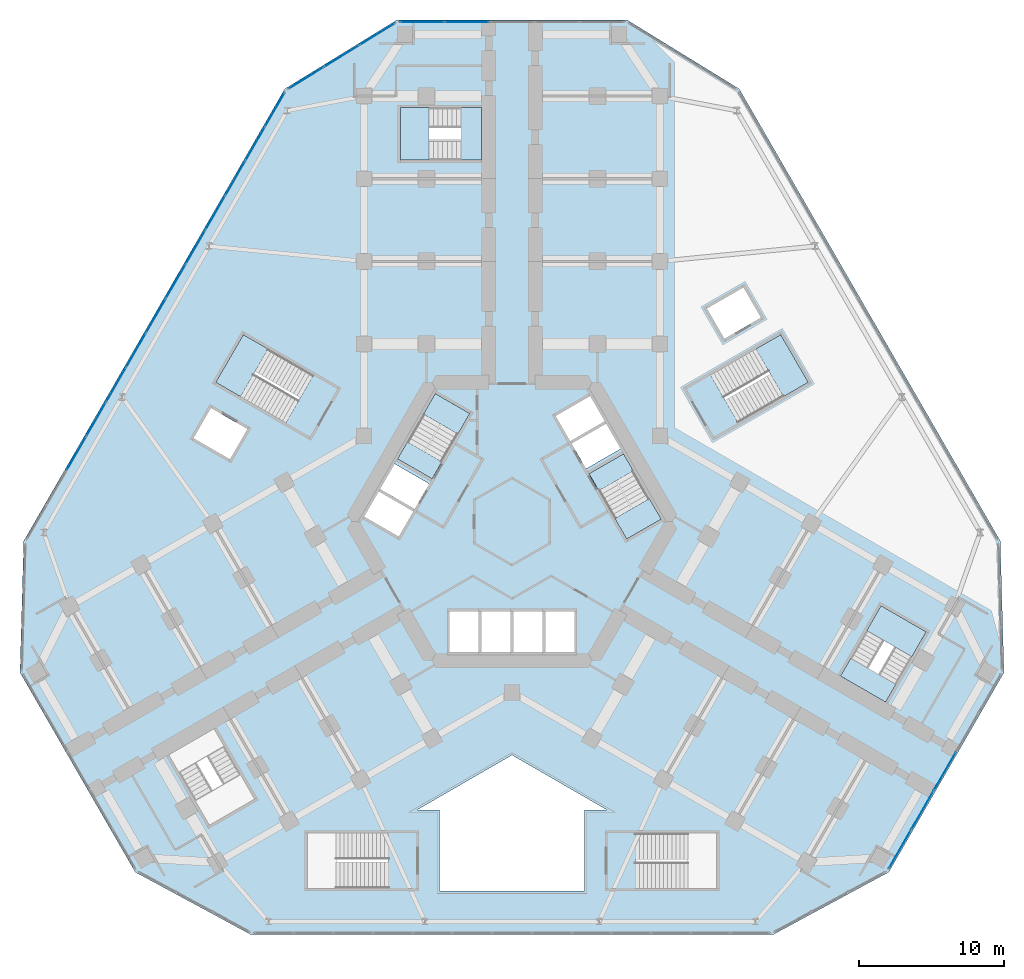
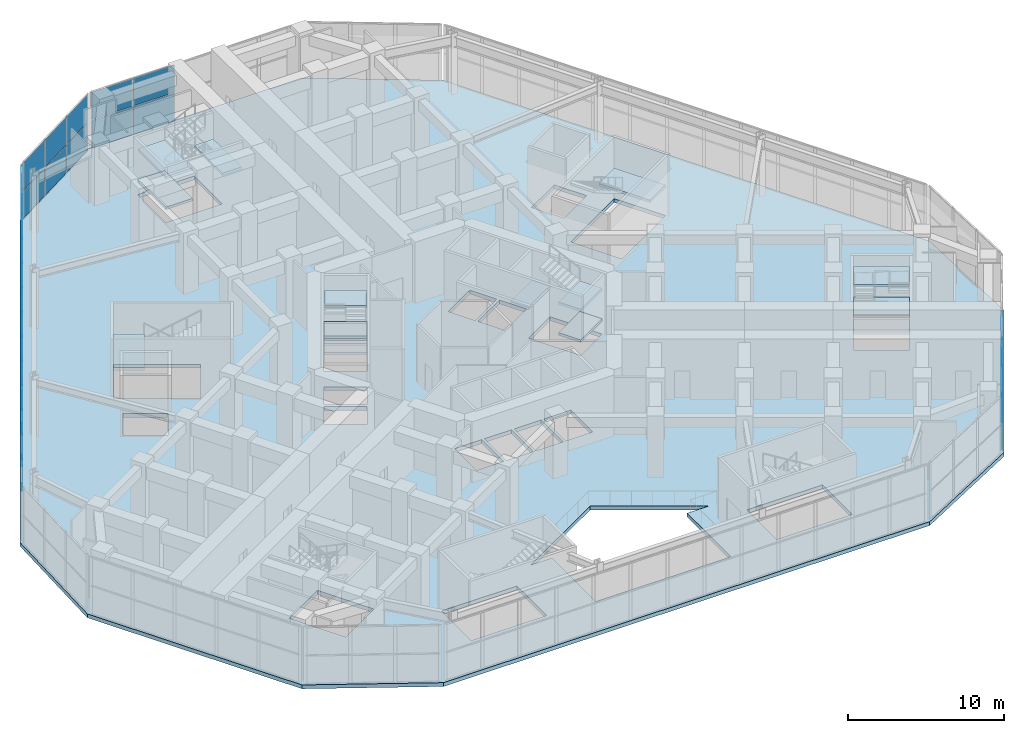
# One storey, part 13 of 22: 38 plates, 15 slabs, 10 elements without a shape of their own.
"""IFC4 building model written with IfcOpenShell, lengths in metres."""

from ifc_helpers import new_model, si_unit, direction, frame, origin, origin_2d, place, context, subcontext, project, spatial, polyline, rectangle, outline, extrude, material, layer, layer_set, type_object, element, aggregate, save


model = new_model("IFC4")

# Units and contexts
model_context = context("Model", 3, precision=1e-05, world=origin(), true_north=direction((0.0, 1.0)))
body_context = subcontext(model_context, "Body", "Model", "MODEL_VIEW")
ifc_project = project(units=[si_unit("LENGTHUNIT", "METRE"), si_unit("AREAUNIT", "SQUARE_METRE"), si_unit("VOLUMEUNIT", "CUBIC_METRE"), si_unit("PLANEANGLEUNIT", "RADIAN"), si_unit("MASSUNIT", "GRAM", prefix="KILO")], contexts=[model_context])

# Site, building, storey
site_placement = place(None, origin())
site = spatial("IfcSite", under=ifc_project, at=site_placement, CompositionType="ELEMENT")
building_placement = place(site_placement, origin())
building = spatial("IfcBuilding", under=site, at=building_placement, Name="Kosmar Iwan School Tower", CompositionType="ELEMENT")
storey_placement = place(building_placement, frame((0.0, 0.0, 10.800048828125)))
storey = spatial("IfcBuildingStorey", under=building, at=storey_placement, Name="L02", CompositionType="ELEMENT", Elevation=10.800048828125)

# Curtain wall, plates
ifc_material_1 = material(Name="Dark glass in black aluminium frame", Category="aluminium")
curtain_wall_type_1 = type_object("IfcCurtainWallType", Name="Tower curtain wall dark glass", PredefinedType="USERDEFINED", material=ifc_material_1)
curtain_wall_1_placement = place(storey_placement, origin())
curtain_wall_1 = element("IfcCurtainWall", 1, at=curtain_wall_1_placement, inside=storey, type_object=curtain_wall_type_1, Name="Curtain wall L02-F02", ObjectType="UNITISED CURTAIN WALL", PredefinedType="USERDEFINED")
ifc_material_2 = material(Name="Dark glass", Category="glass")
ifc_layer_1 = layer(ifc_material_2, 0.028076171875)
ifc_layer_set_1 = layer_set([ifc_layer_1], Name="Dark glass panel 28")
plate_type = type_object("IfcPlateType", Name="Dark glass panel 28", PredefinedType="CURTAIN_PANEL", material=ifc_layer_set_1)
plate_1_placement = place(storey_placement, frame((26.758544921875, -22.602783203125, 0.06005859375), z_axis=(0.0, 0.0, 1.0), x_axis=(0.500000014057, 0.866025395669, 0.0)))
plate_1 = element("IfcPlate", 2, at=plate_1_placement, type_object=plate_type, Name="CW1 panel 1.1", PredefinedType="CURTAIN_PANEL", context=body_context, shape_type="SweptSolid", body=[
    extrude(rectangle(XDim=3.00830078125, YDim=0.028076171875, at=origin_2d()), origin(), (0.0, 0.0, 1.0), 2.159912109375),
])
plate_2_placement = place(storey_placement, frame((26.758544921875, -22.602783203125, 2.27978515625), z_axis=(0.0, 0.0, 1.0), x_axis=(0.500000014057, 0.866025395669, 0.0)))
plate_2 = element("IfcPlate", 3, at=plate_2_placement, type_object=plate_type, Name="CW1 panel 1.2", PredefinedType="CURTAIN_PANEL", context=body_context, shape_type="SweptSolid", body=[
    extrude(rectangle(XDim=3.00830078125, YDim=0.028076171875, at=origin_2d()), origin(), (0.0, 0.0, 1.0), 2.159912109375),
])
plate_3_placement = place(storey_placement, frame((28.30322265625, -19.92724609375, 0.06005859375), z_axis=(0.0, 0.0, 1.0), x_axis=(0.500000014057, 0.866025395669, 0.0)))
plate_3 = element("IfcPlate", 4, at=plate_3_placement, type_object=plate_type, Name="CW1 panel 2.1", PredefinedType="CURTAIN_PANEL", context=body_context, shape_type="SweptSolid", body=[
    extrude(rectangle(XDim=3.040771484375, YDim=0.028076171875, at=origin_2d()), origin(), (0.0, 0.0, 1.0), 2.159912109375),
])
plate_4_placement = place(storey_placement, frame((28.30322265625, -19.92724609375, 2.27978515625), z_axis=(0.0, 0.0, 1.0), x_axis=(0.500000014057, 0.866025395669, 0.0)))
plate_4 = element("IfcPlate", 5, at=plate_4_placement, type_object=plate_type, Name="CW1 panel 2.2", PredefinedType="CURTAIN_PANEL", context=body_context, shape_type="SweptSolid", body=[
    extrude(rectangle(XDim=3.040771484375, YDim=0.028076171875, at=origin_2d()), origin(), (0.0, 0.0, 1.0), 2.159912109375),
])
plate_5_placement = place(storey_placement, frame((29.856201171875, -17.237548828125, 0.06005859375), z_axis=(0.0, 0.0, 1.0), x_axis=(0.500000014057, 0.866025395669, 0.0)))
plate_5 = element("IfcPlate", 6, at=plate_5_placement, type_object=plate_type, Name="CW1 panel 3.1", PredefinedType="CURTAIN_PANEL", context=body_context, shape_type="SweptSolid", body=[
    extrude(rectangle(XDim=3.040771484375, YDim=0.028076171875, at=origin_2d()), origin(), (0.0, 0.0, 1.0), 2.159912109375),
])
plate_6_placement = place(storey_placement, frame((29.856201171875, -17.237548828125, 2.27978515625), z_axis=(0.0, 0.0, 1.0), x_axis=(0.500000014057, 0.866025395669, 0.0)))
plate_6 = element("IfcPlate", 7, at=plate_6_placement, type_object=plate_type, Name="CW1 panel 3.2", PredefinedType="CURTAIN_PANEL", context=body_context, shape_type="SweptSolid", body=[
    extrude(rectangle(XDim=3.040771484375, YDim=0.028076171875, at=origin_2d()), origin(), (0.0, 0.0, 1.0), 2.159912109375),
])
aggregate(curtain_wall_1, [plate_1, plate_2, plate_3, plate_4, plate_5, plate_6])

curtain_wall_2_placement = place(storey_placement, origin())
curtain_wall_2 = element("IfcCurtainWall", 8, at=curtain_wall_2_placement, inside=storey, type_object=curtain_wall_type_1, Name="Curtain wall L02-F06", ObjectType="UNITISED CURTAIN WALL", PredefinedType="USERDEFINED")
plate_7_placement = place(storey_placement, frame((-3.10595703125, 34.47509765625, 0.06005859375), z_axis=(0.0, 0.0, 1.0), x_axis=(-1.0, 0.0, 0.0)))
plate_7 = element("IfcPlate", 9, at=plate_7_placement, type_object=plate_type, Name="CW1 panel 4.1", PredefinedType="CURTAIN_PANEL", context=body_context, shape_type="SweptSolid", body=[
    extrude(rectangle(XDim=3.040771484375, YDim=0.028076171875, at=origin_2d()), origin(), (0.0, 0.0, 1.0), 2.159912109375),
])
plate_8_placement = place(storey_placement, frame((-3.10595703125, 34.47509765625, 2.27978515625), z_axis=(0.0, 0.0, 1.0), x_axis=(-1.0, 0.0, 0.0)))
plate_8 = element("IfcPlate", 10, at=plate_8_placement, type_object=plate_type, Name="CW1 panel 4.2", PredefinedType="CURTAIN_PANEL", context=body_context, shape_type="SweptSolid", body=[
    extrude(rectangle(XDim=3.040771484375, YDim=0.028076171875, at=origin_2d()), origin(), (0.0, 0.0, 1.0), 2.159912109375),
])
plate_9_placement = place(storey_placement, frame((-6.1953125, 34.47509765625, 0.06005859375), z_axis=(0.0, 0.0, 1.0), x_axis=(-1.0, 0.0, 0.0)))
plate_9 = element("IfcPlate", 11, at=plate_9_placement, type_object=plate_type, Name="CW1 panel 5.1", PredefinedType="CURTAIN_PANEL", context=body_context, shape_type="SweptSolid", body=[
    extrude(rectangle(XDim=3.00830078125, YDim=0.028076171875, at=origin_2d()), origin(), (0.0, 0.0, 1.0), 2.159912109375),
])
plate_10_placement = place(storey_placement, frame((-6.1953125, 34.47509765625, 2.27978515625), z_axis=(0.0, 0.0, 1.0), x_axis=(-1.0, 0.0, 0.0)))
plate_10 = element("IfcPlate", 12, at=plate_10_placement, type_object=plate_type, Name="CW1 panel 5.2", PredefinedType="CURTAIN_PANEL", context=body_context, shape_type="SweptSolid", body=[
    extrude(rectangle(XDim=3.00830078125, YDim=0.028076171875, at=origin_2d()), origin(), (0.0, 0.0, 1.0), 2.159912109375),
])
aggregate(curtain_wall_2, [plate_7, plate_8, plate_9, plate_10])

ifc_material_3 = material(Name="Dark glass in black aluminium frame", Category="aluminium")
curtain_wall_type_2 = type_object("IfcCurtainWallType", Name="Podium curtain wall", PredefinedType="USERDEFINED", material=ifc_material_3)
curtain_wall_3_placement = place(storey_placement, origin())
curtain_wall_3 = element("IfcCurtainWall", 13, at=curtain_wall_3_placement, inside=storey, type_object=curtain_wall_type_2, Name="Curtain wall L02-F07", ObjectType="STICK CURTAIN WALL", PredefinedType="USERDEFINED")
plate_11_placement = place(storey_placement, frame((-9.292724609375, 33.626220703125, 0.06005859375), z_axis=(0.0, 0.0, 1.0), x_axis=(-0.851483299186, -0.524381722801, 0.0)))
plate_11 = element("IfcPlate", 14, at=plate_11_placement, type_object=plate_type, Name="CW3 panel 1.1", PredefinedType="CURTAIN_PANEL", context=body_context, shape_type="SweptSolid", body=[
    extrude(rectangle(XDim=2.806884765625, YDim=0.028076171875, at=origin_2d()), origin(), (0.0, 0.0, 1.0), 2.159912109375),
])
plate_12_placement = place(storey_placement, frame((-9.292724609375, 33.626220703125, 2.27978515625), z_axis=(0.0, 0.0, 1.0), x_axis=(-0.851483299186, -0.524381722801, 0.0)))
plate_12 = element("IfcPlate", 15, at=plate_12_placement, type_object=plate_type, Name="CW3 panel 1.2", PredefinedType="CURTAIN_PANEL", context=body_context, shape_type="SweptSolid", body=[
    extrude(rectangle(XDim=2.806884765625, YDim=0.028076171875, at=origin_2d()), origin(), (0.0, 0.0, 1.0), 2.159912109375),
])
plate_13_placement = place(storey_placement, frame((-11.751953125, 32.11181640625, 0.06005859375), z_axis=(0.0, 0.0, 1.0), x_axis=(-0.851483299186, -0.524381722801, 0.0)))
plate_13 = element("IfcPlate", 16, at=plate_13_placement, type_object=plate_type, Name="CW3 panel 2.1", PredefinedType="CURTAIN_PANEL", context=body_context, shape_type="SweptSolid", body=[
    extrude(rectangle(XDim=2.83935546875, YDim=0.028076171875, at=origin_2d()), origin(), (0.0, 0.0, 1.0), 2.159912109375),
])
plate_14_placement = place(storey_placement, frame((-11.751953125, 32.11181640625, 2.27978515625), z_axis=(0.0, 0.0, 1.0), x_axis=(-0.851483299186, -0.524381722801, 0.0)))
plate_14 = element("IfcPlate", 17, at=plate_14_placement, type_object=plate_type, Name="CW3 panel 2.2", PredefinedType="CURTAIN_PANEL", context=body_context, shape_type="SweptSolid", body=[
    extrude(rectangle(XDim=2.83935546875, YDim=0.028076171875, at=origin_2d()), origin(), (0.0, 0.0, 1.0), 2.159912109375),
])
plate_15_placement = place(storey_placement, frame((-14.211181640625, 30.59716796875, 0.06005859375), z_axis=(0.0, 0.0, 1.0), x_axis=(-0.851483299186, -0.524381722801, 0.0)))
plate_15 = element("IfcPlate", 18, at=plate_15_placement, type_object=plate_type, Name="CW3 panel 3.1", PredefinedType="CURTAIN_PANEL", context=body_context, shape_type="SweptSolid", body=[
    extrude(rectangle(XDim=2.806884765625, YDim=0.028076171875, at=origin_2d()), origin(), (0.0, 0.0, 1.0), 2.159912109375),
])
plate_16_placement = place(storey_placement, frame((-14.211181640625, 30.59716796875, 2.27978515625), z_axis=(0.0, 0.0, 1.0), x_axis=(-0.851483299186, -0.524381722801, 0.0)))
plate_16 = element("IfcPlate", 19, at=plate_16_placement, type_object=plate_type, Name="CW3 panel 3.2", PredefinedType="CURTAIN_PANEL", context=body_context, shape_type="SweptSolid", body=[
    extrude(rectangle(XDim=2.806884765625, YDim=0.028076171875, at=origin_2d()), origin(), (0.0, 0.0, 1.0), 2.159912109375),
])
aggregate(curtain_wall_3, [plate_11, plate_12, plate_13, plate_14, plate_15, plate_16])

curtain_wall_4_placement = place(storey_placement, origin())
curtain_wall_4 = element("IfcCurtainWall", 20, at=curtain_wall_4_placement, inside=storey, type_object=curtain_wall_type_2, Name="Curtain wall L02-F08", ObjectType="STICK CURTAIN WALL", PredefinedType="USERDEFINED")
plate_17_placement = place(storey_placement, frame((-16.357666015625, 28.41748046875, 0.06005859375), z_axis=(0.0, 0.0, 1.0), x_axis=(-0.50000002237, -0.866025390869, 0.0)))
plate_17 = element("IfcPlate", 21, at=plate_17_placement, type_object=plate_type, Name="CW3 panel 1.1", PredefinedType="CURTAIN_PANEL", context=body_context, shape_type="SweptSolid", body=[
    extrude(rectangle(XDim=2.643798828125, YDim=0.028076171875, at=origin_2d()), origin(), (0.0, 0.0, 1.0), 2.159912109375),
])
plate_18_placement = place(storey_placement, frame((-16.357666015625, 28.41748046875, 2.27978515625), z_axis=(0.0, 0.0, 1.0), x_axis=(-0.50000002237, -0.866025390869, 0.0)))
plate_18 = element("IfcPlate", 22, at=plate_18_placement, type_object=plate_type, Name="CW3 panel 1.2", PredefinedType="CURTAIN_PANEL", context=body_context, shape_type="SweptSolid", body=[
    extrude(rectangle(XDim=2.643798828125, YDim=0.028076171875, at=origin_2d()), origin(), (0.0, 0.0, 1.0), 2.159912109375),
])
plate_19_placement = place(storey_placement, frame((-17.72021484375, 26.0576171875, 0.06005859375), z_axis=(0.0, 0.0, 1.0), x_axis=(-0.50000002237, -0.866025390869, 0.0)))
plate_19 = element("IfcPlate", 23, at=plate_19_placement, type_object=plate_type, Name="CW3 panel 2.1", PredefinedType="CURTAIN_PANEL", context=body_context, shape_type="SweptSolid", body=[
    extrude(rectangle(XDim=2.67626953125, YDim=0.028076171875, at=origin_2d()), origin(), (0.0, 0.0, 1.0), 2.159912109375),
])
plate_20_placement = place(storey_placement, frame((-17.72021484375, 26.0576171875, 2.27978515625), z_axis=(0.0, 0.0, 1.0), x_axis=(-0.50000002237, -0.866025390869, 0.0)))
plate_20 = element("IfcPlate", 24, at=plate_20_placement, type_object=plate_type, Name="CW3 panel 2.2", PredefinedType="CURTAIN_PANEL", context=body_context, shape_type="SweptSolid", body=[
    extrude(rectangle(XDim=2.67626953125, YDim=0.028076171875, at=origin_2d()), origin(), (0.0, 0.0, 1.0), 2.159912109375),
])
plate_21_placement = place(storey_placement, frame((-19.0908203125, 23.68359375, 0.06005859375), z_axis=(0.0, 0.0, 1.0), x_axis=(-0.50000002237, -0.866025390869, 0.0)))
plate_21 = element("IfcPlate", 25, at=plate_21_placement, type_object=plate_type, Name="CW3 panel 3.1", PredefinedType="CURTAIN_PANEL", context=body_context, shape_type="SweptSolid", body=[
    extrude(rectangle(XDim=2.67626953125, YDim=0.028076171875, at=origin_2d()), origin(), (0.0, 0.0, 1.0), 2.159912109375),
])
plate_22_placement = place(storey_placement, frame((-19.0908203125, 23.68359375, 2.27978515625), z_axis=(0.0, 0.0, 1.0), x_axis=(-0.50000002237, -0.866025390869, 0.0)))
plate_22 = element("IfcPlate", 26, at=plate_22_placement, type_object=plate_type, Name="CW3 panel 3.2", PredefinedType="CURTAIN_PANEL", context=body_context, shape_type="SweptSolid", body=[
    extrude(rectangle(XDim=2.67626953125, YDim=0.028076171875, at=origin_2d()), origin(), (0.0, 0.0, 1.0), 2.159912109375),
])
plate_23_placement = place(storey_placement, frame((-20.46142578125, 21.3095703125, 0.06005859375), z_axis=(0.0, 0.0, 1.0), x_axis=(-0.50000002237, -0.866025390869, 0.0)))
plate_23 = element("IfcPlate", 27, at=plate_23_placement, type_object=plate_type, Name="CW3 panel 4.1", PredefinedType="CURTAIN_PANEL", context=body_context, shape_type="SweptSolid", body=[
    extrude(rectangle(XDim=2.67626953125, YDim=0.028076171875, at=origin_2d()), origin(), (0.0, 0.0, 1.0), 2.159912109375),
])
plate_24_placement = place(storey_placement, frame((-20.46142578125, 21.3095703125, 2.27978515625), z_axis=(0.0, 0.0, 1.0), x_axis=(-0.50000002237, -0.866025390869, 0.0)))
plate_24 = element("IfcPlate", 28, at=plate_24_placement, type_object=plate_type, Name="CW3 panel 4.2", PredefinedType="CURTAIN_PANEL", context=body_context, shape_type="SweptSolid", body=[
    extrude(rectangle(XDim=2.67626953125, YDim=0.028076171875, at=origin_2d()), origin(), (0.0, 0.0, 1.0), 2.159912109375),
])
plate_25_placement = place(storey_placement, frame((-21.832275390625, 18.935546875, 0.06005859375), z_axis=(0.0, 0.0, 1.0), x_axis=(-0.50000002237, -0.866025390869, 0.0)))
plate_25 = element("IfcPlate", 29, at=plate_25_placement, type_object=plate_type, Name="CW3 panel 5.1", PredefinedType="CURTAIN_PANEL", context=body_context, shape_type="SweptSolid", body=[
    extrude(rectangle(XDim=2.67626953125, YDim=0.028076171875, at=origin_2d()), origin(), (0.0, 0.0, 1.0), 2.159912109375),
])
plate_26_placement = place(storey_placement, frame((-21.832275390625, 18.935546875, 2.27978515625), z_axis=(0.0, 0.0, 1.0), x_axis=(-0.50000002237, -0.866025390869, 0.0)))
plate_26 = element("IfcPlate", 30, at=plate_26_placement, type_object=plate_type, Name="CW3 panel 5.2", PredefinedType="CURTAIN_PANEL", context=body_context, shape_type="SweptSolid", body=[
    extrude(rectangle(XDim=2.67626953125, YDim=0.028076171875, at=origin_2d()), origin(), (0.0, 0.0, 1.0), 2.159912109375),
])
plate_27_placement = place(storey_placement, frame((-23.202880859375, 16.5615234375, 0.06005859375), z_axis=(0.0, 0.0, 1.0), x_axis=(-0.50000002237, -0.866025390869, 0.0)))
plate_27 = element("IfcPlate", 31, at=plate_27_placement, type_object=plate_type, Name="CW3 panel 6.1", PredefinedType="CURTAIN_PANEL", context=body_context, shape_type="SweptSolid", body=[
    extrude(rectangle(XDim=2.67626953125, YDim=0.028076171875, at=origin_2d()), origin(), (0.0, 0.0, 1.0), 2.159912109375),
])
plate_28_placement = place(storey_placement, frame((-23.202880859375, 16.5615234375, 2.27978515625), z_axis=(0.0, 0.0, 1.0), x_axis=(-0.50000002237, -0.866025390869, 0.0)))
plate_28 = element("IfcPlate", 32, at=plate_28_placement, type_object=plate_type, Name="CW3 panel 6.2", PredefinedType="CURTAIN_PANEL", context=body_context, shape_type="SweptSolid", body=[
    extrude(rectangle(XDim=2.67626953125, YDim=0.028076171875, at=origin_2d()), origin(), (0.0, 0.0, 1.0), 2.159912109375),
])
plate_29_placement = place(storey_placement, frame((-24.573486328125, 14.1875, 0.06005859375), z_axis=(0.0, 0.0, 1.0), x_axis=(-0.50000002237, -0.866025390869, 0.0)))
plate_29 = element("IfcPlate", 33, at=plate_29_placement, type_object=plate_type, Name="CW3 panel 7.1", PredefinedType="CURTAIN_PANEL", context=body_context, shape_type="SweptSolid", body=[
    extrude(rectangle(XDim=2.67626953125, YDim=0.028076171875, at=origin_2d()), origin(), (0.0, 0.0, 1.0), 2.159912109375),
])
plate_30_placement = place(storey_placement, frame((-24.573486328125, 14.1875, 2.27978515625), z_axis=(0.0, 0.0, 1.0), x_axis=(-0.50000002237, -0.866025390869, 0.0)))
plate_30 = element("IfcPlate", 34, at=plate_30_placement, type_object=plate_type, Name="CW3 panel 7.2", PredefinedType="CURTAIN_PANEL", context=body_context, shape_type="SweptSolid", body=[
    extrude(rectangle(XDim=2.67626953125, YDim=0.028076171875, at=origin_2d()), origin(), (0.0, 0.0, 1.0), 2.159912109375),
])
plate_31_placement = place(storey_placement, frame((-25.944091796875, 11.8134765625, 0.06005859375), z_axis=(0.0, 0.0, 1.0), x_axis=(-0.50000002237, -0.866025390869, 0.0)))
plate_31 = element("IfcPlate", 35, at=plate_31_placement, type_object=plate_type, Name="CW3 panel 8.1", PredefinedType="CURTAIN_PANEL", context=body_context, shape_type="SweptSolid", body=[
    extrude(rectangle(XDim=2.67626953125, YDim=0.028076171875, at=origin_2d()), origin(), (0.0, 0.0, 1.0), 2.159912109375),
])
plate_32_placement = place(storey_placement, frame((-25.944091796875, 11.8134765625, 2.27978515625), z_axis=(0.0, 0.0, 1.0), x_axis=(-0.50000002237, -0.866025390869, 0.0)))
plate_32 = element("IfcPlate", 36, at=plate_32_placement, type_object=plate_type, Name="CW3 panel 8.2", PredefinedType="CURTAIN_PANEL", context=body_context, shape_type="SweptSolid", body=[
    extrude(rectangle(XDim=2.67626953125, YDim=0.028076171875, at=origin_2d()), origin(), (0.0, 0.0, 1.0), 2.159912109375),
])
plate_33_placement = place(storey_placement, frame((-27.314697265625, 9.439453125, 0.06005859375), z_axis=(0.0, 0.0, 1.0), x_axis=(-0.50000002237, -0.866025390869, 0.0)))
plate_33 = element("IfcPlate", 37, at=plate_33_placement, type_object=plate_type, Name="CW3 panel 9.1", PredefinedType="CURTAIN_PANEL", context=body_context, shape_type="SweptSolid", body=[
    extrude(rectangle(XDim=2.67626953125, YDim=0.028076171875, at=origin_2d()), origin(), (0.0, 0.0, 1.0), 2.159912109375),
])
plate_34_placement = place(storey_placement, frame((-27.314697265625, 9.439453125, 2.27978515625), z_axis=(0.0, 0.0, 1.0), x_axis=(-0.50000002237, -0.866025390869, 0.0)))
plate_34 = element("IfcPlate", 38, at=plate_34_placement, type_object=plate_type, Name="CW3 panel 9.2", PredefinedType="CURTAIN_PANEL", context=body_context, shape_type="SweptSolid", body=[
    extrude(rectangle(XDim=2.67626953125, YDim=0.028076171875, at=origin_2d()), origin(), (0.0, 0.0, 1.0), 2.159912109375),
])
plate_35_placement = place(storey_placement, frame((-28.685302734375, 7.0654296875, 0.06005859375), z_axis=(0.0, 0.0, 1.0), x_axis=(-0.50000002237, -0.866025390869, 0.0)))
plate_35 = element("IfcPlate", 39, at=plate_35_placement, type_object=plate_type, Name="CW3 panel 10.1", PredefinedType="CURTAIN_PANEL", context=body_context, shape_type="SweptSolid", body=[
    extrude(rectangle(XDim=2.67626953125, YDim=0.028076171875, at=origin_2d()), origin(), (0.0, 0.0, 1.0), 2.159912109375),
])
plate_36_placement = place(storey_placement, frame((-28.685302734375, 7.0654296875, 2.27978515625), z_axis=(0.0, 0.0, 1.0), x_axis=(-0.50000002237, -0.866025390869, 0.0)))
plate_36 = element("IfcPlate", 40, at=plate_36_placement, type_object=plate_type, Name="CW3 panel 10.2", PredefinedType="CURTAIN_PANEL", context=body_context, shape_type="SweptSolid", body=[
    extrude(rectangle(XDim=2.67626953125, YDim=0.028076171875, at=origin_2d()), origin(), (0.0, 0.0, 1.0), 2.159912109375),
])
plate_37_placement = place(storey_placement, frame((-30.05615234375, 4.69140625, 0.06005859375), z_axis=(0.0, 0.0, 1.0), x_axis=(-0.50000002237, -0.866025390869, 0.0)))
plate_37 = element("IfcPlate", 41, at=plate_37_placement, type_object=plate_type, Name="CW3 panel 11.1", PredefinedType="CURTAIN_PANEL", context=body_context, shape_type="SweptSolid", body=[
    extrude(rectangle(XDim=2.67626953125, YDim=0.028076171875, at=origin_2d()), origin(), (0.0, 0.0, 1.0), 2.159912109375),
])
plate_38_placement = place(storey_placement, frame((-30.05615234375, 4.69140625, 2.27978515625), z_axis=(0.0, 0.0, 1.0), x_axis=(-0.50000002237, -0.866025390869, 0.0)))
plate_38 = element("IfcPlate", 42, at=plate_38_placement, type_object=plate_type, Name="CW3 panel 11.2", PredefinedType="CURTAIN_PANEL", context=body_context, shape_type="SweptSolid", body=[
    extrude(rectangle(XDim=2.67626953125, YDim=0.028076171875, at=origin_2d()), origin(), (0.0, 0.0, 1.0), 2.159912109375),
])
aggregate(curtain_wall_4, [plate_17, plate_18, plate_19, plate_20, plate_21, plate_22, plate_23, plate_24, plate_25, plate_26, plate_27, plate_28, plate_29, plate_30, plate_31, plate_32, plate_33, plate_34, plate_35, plate_36, plate_37, plate_38])

# Stair, slabs
ifc_material_4 = material(Name="Concrete C35/45", Category="concrete")
stair_type_1 = type_object("IfcStairType", Name="Escape stair 3600", PredefinedType="HALF_TURN_STAIR", material=ifc_material_4)
stair_1_placement = place(storey_placement, origin())
stair_1 = element("IfcStair", 43, at=stair_1_placement, inside=storey, type_object=stair_type_1, Name="Stair WS1 L02", PredefinedType="HALF_TURN_STAIR")
ifc_material_5 = material(Name="Concrete C35/45", Category="concrete")
ifc_layer_2 = layer(ifc_material_5, 0.199951171875)
ifc_layer_set_2 = layer_set([ifc_layer_2], Name="Escape stair landing 200")
slab_type_1 = type_object("IfcSlabType", Name="Escape stair landing 200", PredefinedType="LANDING", material=ifc_layer_set_2)
slab_1_placement = place(storey_placement, frame((0.0, 0.0, 1.0)))
slab_1 = element("IfcSlab", 44, at=slab_1_placement, type_object=slab_type_1, Name="WS1 landing 1", PredefinedType="LANDING", context=body_context, shape_type="SweptSolid", body=[
    extrude(outline(polyline([(-5.719970703125, 24.949951171875), (-5.719970703125, 28.550048828125), (-7.699951171875, 28.550048828125), (-7.699951171875, 24.949951171875), (-5.719970703125, 24.949951171875)])), origin(), (0.0, 0.0, 1.0), 0.199951171875),
])
slab_2_placement = place(storey_placement, frame((0.0, 0.0, 2.199951171875)))
slab_2 = element("IfcSlab", 45, at=slab_2_placement, type_object=slab_type_1, Name="WS1 landing 2", PredefinedType="LANDING", context=body_context, shape_type="SweptSolid", body=[
    extrude(outline(polyline([(-2.10009765625, 24.949951171875), (-2.10009765625, 28.550048828125), (-3.52001953125, 28.550048828125), (-3.52001953125, 24.949951171875), (-2.10009765625, 24.949951171875)])), origin(), (0.0, 0.0, 1.0), 0.199951171875),
])
slab_3_placement = place(storey_placement, frame((0.0, 0.0, 3.39990234375)))
slab_3 = element("IfcSlab", 46, at=slab_3_placement, type_object=slab_type_1, Name="WS1 landing 3", PredefinedType="LANDING", context=body_context, shape_type="SweptSolid", body=[
    extrude(outline(polyline([(-5.719970703125, 24.949951171875), (-5.719970703125, 28.550048828125), (-7.699951171875, 28.550048828125), (-7.699951171875, 24.949951171875), (-5.719970703125, 24.949951171875)])), origin(), (0.0, 0.0, 1.0), 0.199951171875),
])
aggregate(stair_1, [slab_1, slab_2, slab_3])

stair_2_placement = place(storey_placement, origin())
stair_2 = element("IfcStair", 47, at=stair_2_placement, inside=storey, type_object=stair_type_1, Name="Stair WS3 L02", PredefinedType="HALF_TURN_STAIR")
slab_4_placement = place(storey_placement, frame((0.0, 0.0, 1.0)))
slab_4 = element("IfcSlab", 48, at=slab_4_placement, type_object=slab_type_1, Name="WS3 landing 1", PredefinedType="LANDING", context=body_context, shape_type="SweptSolid", body=[
    extrude(outline(polyline([(24.46728515625, -7.521240234375), (27.5849609375, -9.3212890625), (28.574951171875, -7.606689453125), (25.457275390625, -5.806640625), (24.46728515625, -7.521240234375)])), origin(), (0.0, 0.0, 1.0), 0.199951171875),
])
slab_5_placement = place(storey_placement, frame((0.0, 0.0, 2.199951171875)))
slab_5 = element("IfcSlab", 49, at=slab_5_placement, type_object=slab_type_1, Name="WS3 landing 2", PredefinedType="LANDING", context=body_context, shape_type="SweptSolid", body=[
    extrude(outline(polyline([(22.6572265625, -10.65625), (25.775146484375, -12.456298828125), (26.485107421875, -11.2265625), (23.367431640625, -9.426513671875), (22.6572265625, -10.65625)])), origin(), (0.0, 0.0, 1.0), 0.199951171875),
])
slab_6_placement = place(storey_placement, frame((0.0, 0.0, 3.39990234375)))
slab_6 = element("IfcSlab", 50, at=slab_6_placement, type_object=slab_type_1, Name="WS3 landing 3", PredefinedType="LANDING", context=body_context, shape_type="SweptSolid", body=[
    extrude(outline(polyline([(24.46728515625, -7.521240234375), (27.5849609375, -9.3212890625), (28.574951171875, -7.606689453125), (25.457275390625, -5.806640625), (24.46728515625, -7.521240234375)])), origin(), (0.0, 0.0, 1.0), 0.199951171875),
])
aggregate(stair_2, [slab_4, slab_5, slab_6])

# Slab
ifc_material_6 = material(Name="Concrete C35/45", Category="concrete")
ifc_layer_3 = layer(ifc_material_6, 0.300048828125)
ifc_layer_set_3 = layer_set([ifc_layer_3], Name="School floor slab 300")
slab_type_2 = type_object("IfcSlabType", Name="School floor slab 300", PredefinedType="FLOOR", material=ifc_layer_set_3)
slab_7_placement = place(storey_placement, frame((0.0, 0.0, -0.300048828125)))
element("IfcSlab", 51, at=slab_7_placement, inside=storey, type_object=slab_type_2, Name="L02 floor slab", PredefinedType="FLOOR", context=body_context, shape_type="SweptSolid", body=[
    extrude(outline(polyline([(-18.0, -28.5), (18.0, -28.5), (25.989501953125, -24.184814453125), (33.939453125, -10.4150390625), (33.681640625, -1.33837890625), (15.681640625, 29.83837890625), (7.949951171875, 34.60009765625), (-7.949951171875, 34.60009765625), (-15.681640625, 29.83837890625), (-33.681640625, -1.33837890625), (-33.939453125, -10.4150390625), (-25.989501953125, -24.184814453125), (-18.0, -28.5)]), holes=[polyline([(7.91259765625, -1.205078125), (10.294189453125, 0.169921875), (8.3642578125, 3.5126953125), (5.982666015625, 2.1376953125), (7.91259765625, -1.205078125)]), polyline([(-2.91259765625, 7.455078125), (-5.294189453125, 8.830078125), (-7.22412109375, 5.4873046875), (-4.8427734375, 4.1123046875), (-2.91259765625, 7.455078125)]), polyline([(-5.712646484375, 2.60546875), (-8.09423828125, 3.98046875), (-9.09423828125, 2.248291015625), (-6.712646484375, 0.873291015625), (-5.712646484375, 2.60546875)]), polyline([(-6.812744140625, 0.7001953125), (-9.1943359375, 2.0751953125), (-10.1943359375, 0.343017578125), (-7.812744140625, -1.031982421875), (-6.812744140625, 0.7001953125)]), polyline([(5.112548828125, 3.64453125), (7.494140625, 5.01953125), (6.494140625, 6.751708984375), (4.112548828125, 5.376708984375), (5.112548828125, 3.64453125)]), polyline([(4.0126953125, 5.5498046875), (6.394287109375, 6.9248046875), (5.394287109375, 8.656982421875), (3.0126953125, 7.281982421875), (4.0126953125, 5.5498046875)]), polyline([(-4.300048828125, -6.199951171875), (-4.300048828125, -9.0), (-2.300048828125, -9.0), (-2.300048828125, -6.199951171875), (-4.300048828125, -6.199951171875)]), polyline([(-2.10009765625, -6.199951171875), (-2.10009765625, -9.0), (-0.10009765625, -9.0), (-0.10009765625, -6.199951171875), (-2.10009765625, -6.199951171875)]), polyline([(0.10009765625, -6.199951171875), (0.10009765625, -9.0), (2.10009765625, -9.0), (2.10009765625, -6.199951171875), (0.10009765625, -6.199951171875)]), polyline([(2.300048828125, -6.199951171875), (2.300048828125, -9.0), (4.300048828125, -9.0), (4.300048828125, -6.199951171875), (2.300048828125, -6.199951171875)]), polyline([(-3.52001953125, 24.949951171875), (-3.52001953125, 28.550048828125), (-7.699951171875, 28.550048828125), (-7.699951171875, 24.949951171875), (-3.52001953125, 24.949951171875)]), polyline([(-19.847412109375, -15.5234375), (-22.965087890625, -17.323486328125), (-20.875, -20.943359375), (-17.75732421875, -19.143310546875), (-19.847412109375, -15.5234375)]), polyline([(23.367431640625, -9.426513671875), (26.485107421875, -11.2265625), (28.574951171875, -7.606689453125), (25.457275390625, -5.806640625), (23.367431640625, -9.426513671875)]), polyline([(6.56787109375, -19.89990234375), (5.0, -19.89990234375), (5.0, -25.5), (-5.0, -25.5), (-5.0, -19.89990234375), (-6.56787109375, -19.89990234375), (0.0, -16.108154296875), (6.56787109375, -19.89990234375)]), polyline([(-14.10009765625, -21.5), (-14.10009765625, -25.300048828125), (-8.52001953125, -25.300048828125), (-8.52001953125, -21.5), (-14.10009765625, -21.5)]), polyline([(8.52001953125, -21.5), (8.52001953125, -25.300048828125), (14.10009765625, -25.300048828125), (14.10009765625, -21.5), (8.52001953125, -21.5)]), polyline([(15.603271484375, 6.814453125), (20.435546875, 9.6044921875), (18.53564453125, 12.8955078125), (13.703125, 10.10546875), (15.603271484375, 6.814453125)]), polyline([(-13.703125, 10.10546875), (-18.53564453125, 12.8955078125), (-20.435546875, 9.6044921875), (-15.603271484375, 6.814453125), (-13.703125, 10.10546875)]), polyline([(14.654541015625, 12.61767578125), (17.166015625, 14.067626953125), (15.966064453125, 16.146240234375), (13.45458984375, 14.696044921875), (14.654541015625, 12.61767578125)]), polyline([(-18.25439453125, 6.38232421875), (-20.765869140625, 7.832275390625), (-21.966064453125, 5.75390625), (-19.45458984375, 4.303955078125), (-18.25439453125, 6.38232421875)])]), origin(), (0.0, 0.0, 1.0), 0.300048828125),
])

# Stair, slabs
ifc_material_7 = material(Name="Concrete C35/45", Category="concrete")
stair_type_2 = type_object("IfcStairType", Name="Core stair 2750", PredefinedType="HALF_TURN_STAIR", material=ifc_material_7)
stair_3_placement = place(storey_placement, origin())
stair_3 = element("IfcStair", 52, at=stair_3_placement, inside=storey, type_object=stair_type_2, Name="Stair ST2 L02", PredefinedType="HALF_TURN_STAIR")
ifc_material_8 = material(Name="Concrete C35/45", Category="concrete")
ifc_layer_4 = layer(ifc_material_8, 0.199951171875)
ifc_layer_set_4 = layer_set([ifc_layer_4], Name="Stair landing 200")
slab_type_3 = type_object("IfcSlabType", Name="Stair landing 200", PredefinedType="LANDING", material=ifc_layer_set_4)
slab_8_placement = place(storey_placement, frame((0.0, 0.0, 1.0)))
slab_8 = element("IfcSlab", 53, at=slab_8_placement, type_object=slab_type_3, Name="ST2 landing 1", PredefinedType="LANDING", context=body_context, shape_type="SweptSolid", body=[
    extrude(outline(polyline([(-2.91259765625, 7.455078125), (-5.294189453125, 8.830078125), (-6.1142578125, 7.409912109375), (-3.732666015625, 6.034912109375), (-2.91259765625, 7.455078125)])), origin(), (0.0, 0.0, 1.0), 0.199951171875),
])
slab_9_placement = place(storey_placement, frame((0.0, 0.0, 2.199951171875)))
slab_9 = element("IfcSlab", 54, at=slab_9_placement, type_object=slab_type_3, Name="ST2 landing 2", PredefinedType="LANDING", context=body_context, shape_type="SweptSolid", body=[
    extrude(outline(polyline([(-4.832763671875, 4.129638671875), (-7.214111328125, 5.504638671875), (-7.894287109375, 4.326904296875), (-5.5126953125, 2.951904296875), (-4.832763671875, 4.129638671875)])), origin(), (0.0, 0.0, 1.0), 0.199951171875),
])
slab_10_placement = place(storey_placement, frame((0.0, 0.0, 3.39990234375)))
slab_10 = element("IfcSlab", 55, at=slab_10_placement, type_object=slab_type_3, Name="ST2 landing 3", PredefinedType="LANDING", context=body_context, shape_type="SweptSolid", body=[
    extrude(outline(polyline([(-2.91259765625, 7.455078125), (-5.294189453125, 8.830078125), (-6.1142578125, 7.409912109375), (-3.732666015625, 6.034912109375), (-2.91259765625, 7.455078125)])), origin(), (0.0, 0.0, 1.0), 0.199951171875),
])
aggregate(stair_3, [slab_8, slab_9, slab_10])

stair_4_placement = place(storey_placement, origin())
stair_4 = element("IfcStair", 56, at=stair_4_placement, inside=storey, type_object=stair_type_2, Name="Stair ST1 L02", PredefinedType="HALF_TURN_STAIR")
slab_11_placement = place(storey_placement, frame((0.0, 0.0, 1.0)))
slab_11 = element("IfcSlab", 57, at=slab_11_placement, type_object=slab_type_3, Name="ST1 landing 1", PredefinedType="LANDING", context=body_context, shape_type="SweptSolid", body=[
    extrude(outline(polyline([(7.91259765625, -1.205078125), (10.294189453125, 0.169921875), (9.47412109375, 1.590087890625), (7.0927734375, 0.215087890625), (7.91259765625, -1.205078125)])), origin(), (0.0, 0.0, 1.0), 0.199951171875),
])
slab_12_placement = place(storey_placement, frame((0.0, 0.0, 2.199951171875)))
slab_12 = element("IfcSlab", 58, at=slab_12_placement, type_object=slab_type_3, Name="ST1 landing 2", PredefinedType="LANDING", context=body_context, shape_type="SweptSolid", body=[
    extrude(outline(polyline([(5.99267578125, 2.120361328125), (8.374267578125, 3.495361328125), (7.6943359375, 4.673095703125), (5.312744140625, 3.298095703125), (5.99267578125, 2.120361328125)])), origin(), (0.0, 0.0, 1.0), 0.199951171875),
])
slab_13_placement = place(storey_placement, frame((0.0, 0.0, 3.39990234375)))
slab_13 = element("IfcSlab", 59, at=slab_13_placement, type_object=slab_type_3, Name="ST1 landing 3", PredefinedType="LANDING", context=body_context, shape_type="SweptSolid", body=[
    extrude(outline(polyline([(7.91259765625, -1.205078125), (10.294189453125, 0.169921875), (9.47412109375, 1.590087890625), (7.0927734375, 0.215087890625), (7.91259765625, -1.205078125)])), origin(), (0.0, 0.0, 1.0), 0.199951171875),
])
aggregate(stair_4, [slab_11, slab_12, slab_13])

# Stair, slab
ifc_material_9 = material(Name="Concrete C35/45", Category="concrete")
stair_type_3 = type_object("IfcStairType", Name="School stair 3800", PredefinedType="HALF_TURN_STAIR", material=ifc_material_9)
stair_5_placement = place(storey_placement, origin())
stair_5 = element("IfcStair", 60, at=stair_5_placement, inside=storey, type_object=stair_type_3, Name="School stair SS3 L02", PredefinedType="HALF_TURN_STAIR")
slab_14_placement = place(storey_placement, frame((0.0, 0.0, 2.199951171875)))
slab_14 = element("IfcSlab", 61, at=slab_14_placement, type_object=slab_type_3, Name="SS3 landing 1", PredefinedType="LANDING", context=body_context, shape_type="SweptSolid", body=[
    extrude(outline(polyline([(18.720947265625, 8.614501953125), (20.435546875, 9.6044921875), (18.53564453125, 12.8955078125), (16.82080078125, 11.905517578125), (18.720947265625, 8.614501953125)])), origin(), (0.0, 0.0, 1.0), 0.199951171875),
])
aggregate(stair_5, [slab_14])

stair_6_placement = place(storey_placement, origin())
stair_6 = element("IfcStair", 62, at=stair_6_placement, inside=storey, type_object=stair_type_3, Name="School stair SS4 L02", PredefinedType="HALF_TURN_STAIR")
slab_15_placement = place(storey_placement, frame((0.0, 0.0, 2.199951171875)))
slab_15 = element("IfcSlab", 63, at=slab_15_placement, type_object=slab_type_3, Name="SS4 landing 1", PredefinedType="LANDING", context=body_context, shape_type="SweptSolid", body=[
    extrude(outline(polyline([(-16.82080078125, 11.905517578125), (-18.53564453125, 12.8955078125), (-20.435546875, 9.6044921875), (-18.720947265625, 8.614501953125), (-16.82080078125, 11.905517578125)])), origin(), (0.0, 0.0, 1.0), 0.199951171875),
])
aggregate(stair_6, [slab_15])

save(model, "model.ifc")
